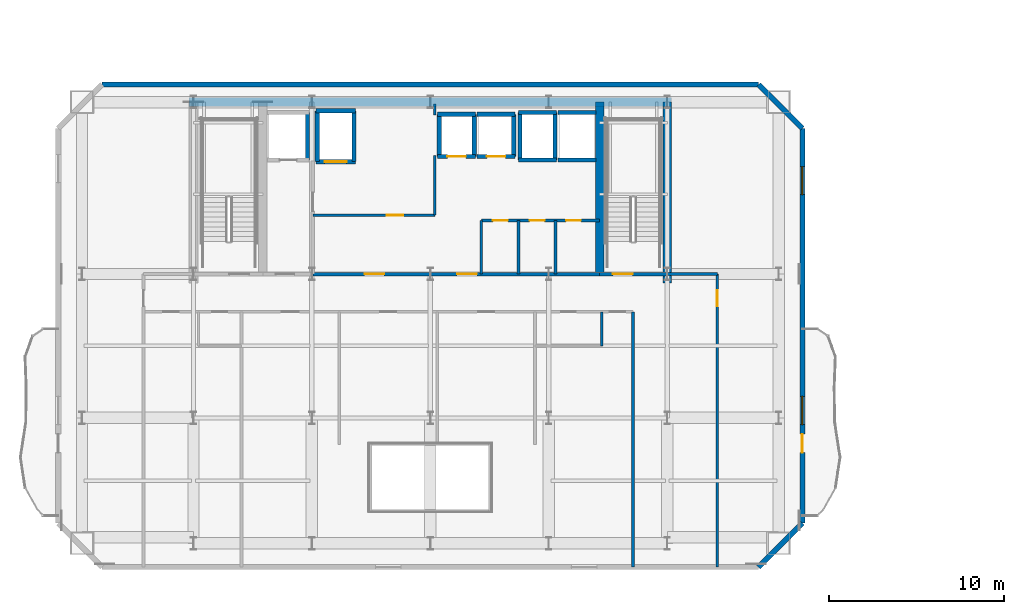
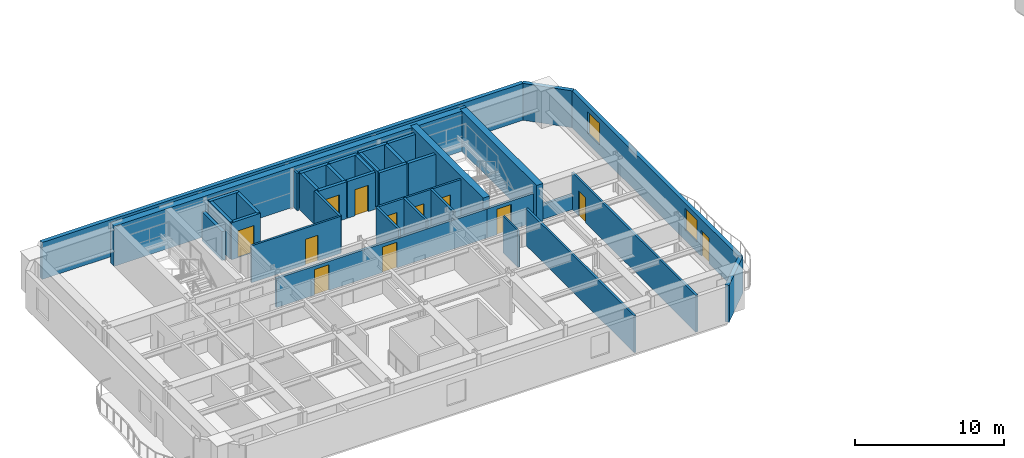
# One storey, part 8 of 15: 38 walls, 12 doors, 2 windows, 14 openings.
"""IFC4 building model written with IfcOpenShell, lengths in metres."""

from ifc_helpers import new_model, si_unit, direction, frame, frame_2d, origin, place, context, subcontext, project, spatial, rectangle, extrude, material, layer, layer_set, type_object, element, fill, save


model = new_model("IFC4")

# Units and contexts
model_context = context("Model", 3, precision=1e-05, world=origin(), true_north=direction((0.0, 1.0)))
body_context = subcontext(model_context, "Body", "Model", "MODEL_VIEW")
ifc_project = project(units=[si_unit("LENGTHUNIT", "METRE"), si_unit("AREAUNIT", "SQUARE_METRE"), si_unit("VOLUMEUNIT", "CUBIC_METRE"), si_unit("PLANEANGLEUNIT", "RADIAN"), si_unit("MASSUNIT", "GRAM", prefix="KILO")], contexts=[model_context])

# Site, building, storey
site_placement = place(None, origin())
site = spatial("IfcSite", under=ifc_project, at=site_placement, CompositionType="ELEMENT")
building_placement = place(site_placement, origin())
building = spatial("IfcBuilding", under=site, at=building_placement, Name="Haevon Station Towers", CompositionType="ELEMENT")
storey_placement = place(building_placement, frame((0.0, 0.0, 152.699951171875)))
storey = spatial("IfcBuildingStorey", under=building, at=storey_placement, Name="L41", CompositionType="ELEMENT", Elevation=152.699951171875)

# Wall
ifc_material_1 = material(Name="Gypsum board on steel stud", Category="steel")
ifc_layer_1 = layer(ifc_material_1, 0.179931640625)
ifc_layer_set_1 = layer_set([ifc_layer_1], Name="Gypsum board on steel stud")
wall_type_1 = type_object("IfcWallType", Name="WL-ACU180", PredefinedType="PARTITIONING", material=ifc_layer_set_1)
wall_1_placement = place(storey_placement, frame((51.0, 38.199951171875, 0.0), z_axis=(0.0, 0.0, 1.0), x_axis=(1.0, 0.0, 0.0)))
element("IfcWall", 1, at=wall_1_placement, inside=storey, type_object=wall_type_1, Name="WL-T1PT-L41-03", PredefinedType="PARTITIONING", context=body_context, shape_type="SweptSolid", body=[
    extrude(rectangle(XDim=2.85009765625, YDim=0.179931640625, at=frame_2d((1.425048828125, 0.0))), origin(), (0.0, 0.0, 1.0), 1.22998046875),
])

# Wall, opening, door
ifc_layer_2 = layer(ifc_material_1, 0.199951171875)
ifc_layer_set_2 = layer_set([ifc_layer_2], Name="Gypsum board on steel stud")
wall_type_2 = type_object("IfcWallType", Name="WL-COR200", PredefinedType="PARTITIONING", material=ifc_layer_set_2)
wall_2_placement = place(storey_placement, frame((47.14990234375, 38.199951171875, 0.0), z_axis=(0.0, 0.0, 1.0), x_axis=(1.0, 0.0, 0.0)))
wall_2 = element("IfcWall", 2, at=wall_2_placement, inside=storey, type_object=wall_type_2, Name="WL-ST-ST2-L41", PredefinedType="PARTITIONING", context=body_context, shape_type="SweptSolid", body=[
    extrude(rectangle(XDim=3.85009765625, YDim=0.199951171875, at=frame_2d((1.925048828125, 0.0))), origin(), (0.0, 0.0, 1.0), 2.380126953125),
])
opening_1_placement = place(wall_2_placement, frame((0.75, 0.0, 0.0)))
opening_1 = element("IfcOpeningElement", 3, at=opening_1_placement, cuts=wall_2, Name="Opening DR-ST-ST2-L41", PredefinedType="OPENING", context=body_context, shape_type="SweptSolid", body=[
    extrude(rectangle(XDim=1.1201171875, YDim=2.10009765625, at=frame_2d((0.56005859375, 1.050048828125))), frame((0.0, 0.10986328125, 0.0), z_axis=(0.0, -1.0, 0.0), x_axis=(1.0, 0.0, 0.0)), (0.0, 0.0, 1.0), 0.219970703125),
])
ifc_material_2 = material(Name="Engineered oak timber", Category="wood")
door_type_1 = type_object("IfcDoorType", Name="DR-ST-1120", OperationType="NOTDEFINED", PredefinedType="DOOR", material=ifc_material_2)
door_1_placement = place(opening_1_placement, origin())
door_1 = element("IfcDoor", 4, at=door_1_placement, inside=storey, type_object=door_type_1, Name="L41 Escape Stair ST2 Fire Door", OperationType="SINGLE_SWING_LEFT", OverallHeight=2.10009765625, OverallWidth=1.1201171875, PredefinedType="DOOR", context=body_context, shape_type="SweptSolid", body=[
    extrude(rectangle(XDim=1.1201171875, YDim=2.10009765625, at=frame_2d((0.56005859375, 1.050048828125))), frame((0.0, 0.02490234375, 0.0), z_axis=(0.0, -1.0, 0.0), x_axis=(1.0, 0.0, 0.0)), (0.0, 0.0, 1.0), 0.050048828125),
])
fill(opening_1, door_1)

# Wall, openings, doors
wall_3_placement = place(storey_placement, frame((30.800048828125, 38.199951171875, 0.0), z_axis=(0.0, 0.0, 1.0), x_axis=(1.0, 0.0, 0.0)))
wall_3 = element("IfcWall", 5, at=wall_3_placement, inside=storey, type_object=wall_type_2, Name="WL-T1CLB-L41", PredefinedType="PARTITIONING", context=body_context, shape_type="SweptSolid", body=[
    extrude(rectangle(XDim=16.349853515625, YDim=0.199951171875, at=frame_2d((8.1748046875, 0.0))), origin(), (0.0, 0.0, 1.0), 2.380126953125),
])
opening_2_placement = place(wall_3_placement, frame((2.949951171875, 0.0, 0.0)))
opening_2 = element("IfcOpeningElement", 6, at=opening_2_placement, cuts=wall_3, Name="Opening DR-T1CLB-L41-1", PredefinedType="OPENING", context=body_context, shape_type="SweptSolid", body=[
    extrude(rectangle(XDim=1.1201171875, YDim=2.10009765625, at=frame_2d((0.56005859375, 1.050048828125))), frame((0.0, 0.10986328125, 0.0), z_axis=(0.0, -1.0, 0.0), x_axis=(1.0, 0.0, 0.0)), (0.0, 0.0, 1.0), 0.219970703125),
])
opening_3_placement = place(wall_3_placement, frame((8.22998046875, 0.0, 0.0)))
opening_3 = element("IfcOpeningElement", 7, at=opening_3_placement, cuts=wall_3, Name="Opening DR-T1CLB-L41-2", PredefinedType="OPENING", context=body_context, shape_type="SweptSolid", body=[
    extrude(rectangle(XDim=1.1201171875, YDim=2.10009765625, at=frame_2d((0.56005859375, 1.050048828125))), frame((0.0, 0.10986328125, 0.0), z_axis=(0.0, -1.0, 0.0), x_axis=(1.0, 0.0, 0.0)), (0.0, 0.0, 1.0), 0.219970703125),
])
door_2_placement = place(opening_2_placement, origin())
door_2 = element("IfcDoor", 8, at=door_2_placement, inside=storey, type_object=door_type_1, Name="L41 Tower 1 Core Lift Lobby Door 1", OperationType="SINGLE_SWING_RIGHT", OverallHeight=2.10009765625, OverallWidth=1.1201171875, PredefinedType="DOOR", context=body_context, shape_type="SweptSolid", body=[
    extrude(rectangle(XDim=1.1201171875, YDim=2.10009765625, at=frame_2d((0.56005859375, 1.050048828125))), frame((0.0, 0.02490234375, 0.0), z_axis=(0.0, -1.0, 0.0), x_axis=(1.0, 0.0, 0.0)), (0.0, 0.0, 1.0), 0.050048828125),
])
fill(opening_2, door_2)
door_3_placement = place(opening_3_placement, origin())
door_3 = element("IfcDoor", 9, at=door_3_placement, inside=storey, type_object=door_type_1, Name="L41 Tower 1 Core Lift Lobby Door 2", OperationType="SINGLE_SWING_LEFT", OverallHeight=2.10009765625, OverallWidth=1.1201171875, PredefinedType="DOOR", context=body_context, shape_type="SweptSolid", body=[
    extrude(rectangle(XDim=1.1201171875, YDim=2.10009765625, at=frame_2d((0.56005859375, 1.050048828125))), frame((0.0, 0.02490234375, 0.0), z_axis=(0.0, -1.0, 0.0), x_axis=(1.0, 0.0, 0.0)), (0.0, 0.0, 1.0), 0.050048828125),
])
fill(opening_3, door_3)

# Walls
ifc_material_3 = material(Name="Concrete C60/75", Category="concrete")
ifc_layer_3 = layer(ifc_material_3, 0.5)
ifc_layer_set_3 = layer_set([ifc_layer_3], Name="Concrete C60/75")
wall_type_3 = type_object("IfcWallType", Name="WL-CR500", PredefinedType="SHEAR", material=ifc_layer_set_3)
wall_4_placement = place(storey_placement, frame((23.75, 48.0, 0.0), z_axis=(0.0, 0.0, 1.0), x_axis=(1.0, 0.0, 0.0)))
element("IfcWall", 10, at=wall_4_placement, inside=storey, type_object=wall_type_3, Name="WL-T1CR-L41-N", PredefinedType="SHEAR", context=body_context, shape_type="SweptSolid", body=[
    extrude(rectangle(XDim=27.5, YDim=0.5, at=frame_2d((13.75, 0.0))), origin(), (0.0, 0.0, 1.0), 3.300048828125),
])
wall_5_placement = place(storey_placement, frame((51.0, 37.679931640625, 0.0), z_axis=(0.0, 0.0, 1.0), x_axis=(0.0, 1.0, 0.0)))
element("IfcWall", 11, at=wall_5_placement, inside=storey, type_object=wall_type_3, Name="WL-T1CR-L41-E", PredefinedType="SHEAR", context=body_context, shape_type="SweptSolid", body=[
    extrude(rectangle(XDim=10.320068359375, YDim=0.5, at=frame_2d((5.16015625, 0.0))), origin(), (0.0, 0.0, 1.0), 3.300048828125),
])
wall_6_placement = place(storey_placement, frame((47.14990234375, 38.199951171875, 0.0), z_axis=(0.0, 0.0, 1.0), x_axis=(0.0, 1.0, 0.0)))
element("IfcWall", 12, at=wall_6_placement, inside=storey, type_object=wall_type_3, Name="WL-T1CR-L41-M2", PredefinedType="SHEAR", context=body_context, shape_type="SweptSolid", body=[
    extrude(rectangle(XDim=9.800048828125, YDim=0.5, at=frame_2d((4.89990234375, 0.0))), origin(), (0.0, 0.0, 1.0), 3.300048828125),
])
ifc_material_4 = material(Name="Precast concrete C45/55", Category="concrete")
ifc_layer_4 = layer(ifc_material_4, 0.300048828125)
ifc_layer_set_4 = layer_set([ifc_layer_4], Name="Precast concrete C45/55")
wall_type_4 = type_object("IfcWallType", Name="WL-EXT-PIER300", PredefinedType="SOLIDWALL", material=ifc_layer_set_4)
wall_7_placement = place(storey_placement, frame((18.800048828125, 49.0, 0.0), z_axis=(0.0, 0.0, 1.0), x_axis=(1.0, 0.0, 0.0)))
element("IfcWall", 13, at=wall_7_placement, inside=storey, type_object=wall_type_4, Name="WL-T1-L41-N", PredefinedType="SOLIDWALL", context=body_context, shape_type="SweptSolid", body=[
    extrude(rectangle(XDim=37.39990234375, YDim=0.300048828125, at=frame_2d((18.699951171875, 0.0))), origin(), (0.0, 0.0, 1.0), 3.030029296875),
])
wall_8_placement = place(storey_placement, frame((56.199951171875, 49.0, 0.0), z_axis=(0.0, 0.0, 1.0), x_axis=(0.707106781187, -0.707106781187, 0.0)))
element("IfcWall", 14, at=wall_8_placement, inside=storey, type_object=wall_type_4, Name="WL-T1-L41-NEC", PredefinedType="SOLIDWALL", context=body_context, shape_type="SweptSolid", body=[
    extrude(rectangle(XDim=3.53564453125, YDim=0.300048828125, at=frame_2d((1.767822265625, 0.0))), origin(), (0.0, 0.0, 1.0), 3.030029296875),
])

# Wall, openings, door, windows
wall_9_placement = place(storey_placement, frame((58.699951171875, 46.5, 0.0), z_axis=(0.0, 0.0, 1.0), x_axis=(0.0, -1.0, 0.0)))
wall_9 = element("IfcWall", 15, at=wall_9_placement, inside=storey, type_object=wall_type_4, Name="WL-T1-L41-E", PredefinedType="SOLIDWALL", context=body_context, shape_type="SweptSolid", body=[
    extrude(rectangle(XDim=22.5, YDim=0.300048828125, at=frame_2d((11.25, 0.0))), origin(), (0.0, 0.0, 1.0), 3.030029296875),
])
opening_4_placement = place(wall_9_placement, frame((17.425048828125, 0.0, 0.0)))
opening_4 = element("IfcOpeningElement", 16, at=opening_4_placement, cuts=wall_9, Name="Opening DR-T1-SCAL-L41-E", PredefinedType="OPENING", context=body_context, shape_type="SweptSolid", body=[
    extrude(rectangle(XDim=1.050048828125, YDim=2.10009765625, at=frame_2d((0.52490234375, 1.050048828125))), frame((0.0, 0.159912109375, 0.0), z_axis=(0.0, -1.0, 0.0), x_axis=(1.0, 0.0, 0.0)), (0.0, 0.0, 1.0), 0.320068359375),
])
opening_5_placement = place(wall_9_placement, frame((2.1787109375, 0.0, 0.800048828125)))
opening_5 = element("IfcOpeningElement", 17, at=opening_5_placement, cuts=wall_9, Name="Opening WN-END160", PredefinedType="OPENING", context=body_context, shape_type="SweptSolid", body=[
    extrude(rectangle(XDim=1.60009765625, YDim=1.800048828125, at=frame_2d((0.800048828125, 0.89990234375))), frame((0.0, 0.159912109375, 0.0), z_axis=(0.0, -1.0, 0.0), x_axis=(1.0, 0.0, 0.0)), (0.0, 0.0, 1.0), 0.320068359375),
])
opening_6_placement = place(wall_9_placement, frame((15.27490234375, 0.0, 0.800048828125)))
opening_6 = element("IfcOpeningElement", 18, at=opening_6_placement, cuts=wall_9, Name="Opening WN-END160", PredefinedType="OPENING", context=body_context, shape_type="SweptSolid", body=[
    extrude(rectangle(XDim=1.60009765625, YDim=1.800048828125, at=frame_2d((0.800048828125, 0.89990234375))), frame((0.0, 0.159912109375, 0.0), z_axis=(0.0, -1.0, 0.0), x_axis=(1.0, 0.0, 0.0)), (0.0, 0.0, 1.0), 0.320068359375),
])
ifc_material_5 = material(Name="Thermally broken anodised aluminium and laminated safety glass", Category="aluminium")
door_type_2 = type_object("IfcDoorType", Name="DR-BALC-1050", OperationType="NOTDEFINED", PredefinedType="DOOR", material=ifc_material_5)
door_4_placement = place(opening_4_placement, origin())
door_4 = element("IfcDoor", 19, at=door_4_placement, inside=storey, type_object=door_type_2, Name="Tower 1 L41 East Scalloped Balcony Door", OperationType="SINGLE_SWING_LEFT", OverallHeight=2.10009765625, OverallWidth=1.050048828125, PredefinedType="DOOR", context=body_context, shape_type="SweptSolid", body=[
    extrude(rectangle(XDim=1.050048828125, YDim=2.10009765625, at=frame_2d((0.52490234375, 1.050048828125))), frame((0.0, 0.02490234375, 0.0), z_axis=(0.0, -1.0, 0.0), x_axis=(1.0, 0.0, 0.0)), (0.0, 0.0, 1.0), 0.050048828125),
])
fill(opening_4, door_4)
ifc_material_6 = material(Name="Low-E triple glazing in thermally broken aluminium", Category="aluminium")
window_type = type_object("IfcWindowType", Name="WN-END160", PartitioningType="SINGLE_PANEL", PredefinedType="WINDOW", material=ifc_material_6)
window_1_placement = place(opening_5_placement, origin())
window_1 = element("IfcWindow", 20, at=window_1_placement, inside=storey, type_object=window_type, Name="WN-T1-L41-E01", OverallHeight=1.800048828125, OverallWidth=1.60009765625, PartitioningType="SINGLE_PANEL", PredefinedType="WINDOW", context=body_context, shape_type="SweptSolid", body=[
    extrude(rectangle(XDim=1.60009765625, YDim=1.800048828125, at=frame_2d((0.800048828125, 0.89990234375))), frame((0.0, 0.030029296875, 0.0), z_axis=(0.0, -1.0, 0.0), x_axis=(1.0, 0.0, 0.0)), (0.0, 0.0, 1.0), 0.06005859375),
])
fill(opening_5, window_1)
window_2_placement = place(opening_6_placement, origin())
window_2 = element("IfcWindow", 21, at=window_2_placement, inside=storey, type_object=window_type, Name="WN-T1-L41-E02", OverallHeight=1.800048828125, OverallWidth=1.60009765625, PartitioningType="SINGLE_PANEL", PredefinedType="WINDOW", context=body_context, shape_type="SweptSolid", body=[
    extrude(rectangle(XDim=1.60009765625, YDim=1.800048828125, at=frame_2d((0.800048828125, 0.89990234375))), frame((0.0, 0.030029296875, 0.0), z_axis=(0.0, -1.0, 0.0), x_axis=(1.0, 0.0, 0.0)), (0.0, 0.0, 1.0), 0.06005859375),
])
fill(opening_6, window_2)

# Walls
wall_10_placement = place(storey_placement, frame((58.699951171875, 24.0, 0.0), z_axis=(0.0, 0.0, 1.0), x_axis=(-0.707106781187, -0.707106781187, 0.0)))
element("IfcWall", 22, at=wall_10_placement, inside=storey, type_object=wall_type_4, Name="WL-T1-L41-SEC", PredefinedType="SOLIDWALL", context=body_context, shape_type="SweptSolid", body=[
    extrude(rectangle(XDim=3.53564453125, YDim=0.300048828125, at=frame_2d((1.767822265625, 0.0))), origin(), (0.0, 0.0, 1.0), 3.030029296875),
])
ifc_layer_5 = layer(ifc_material_1, 0.125)
ifc_layer_set_5 = layer_set([ifc_layer_5], Name="Gypsum board on steel stud")
wall_type_5 = type_object("IfcWallType", Name="WL-PRT125", PredefinedType="PARTITIONING", material=ifc_layer_set_5)
wall_11_placement = place(storey_placement, frame((47.27001953125, 34.10009765625, 0.0), z_axis=(0.0, 0.0, 1.0), x_axis=(0.0, 1.0, 0.0)))
element("IfcWall", 23, at=wall_11_placement, inside=storey, type_object=wall_type_5, Name="WL-T1PT-L41-19", PredefinedType="PARTITIONING", context=body_context, shape_type="SweptSolid", body=[
    extrude(rectangle(XDim=1.949951171875, YDim=0.125, at=frame_2d((0.97509765625, 0.0))), origin(), (0.0, 0.0, 1.0), 3.030029296875),
])

# Wall, opening, door
ifc_layer_6 = layer(ifc_material_1, 0.159912109375)
ifc_layer_set_6 = layer_set([ifc_layer_6], Name="Gypsum board on steel stud")
wall_type_6 = type_object("IfcWallType", Name="WL-PRT160", PredefinedType="PARTITIONING", material=ifc_layer_set_6)
wall_12_placement = place(storey_placement, frame((30.800048828125, 41.550048828125, 0.0), z_axis=(0.0, 0.0, 1.0), x_axis=(1.0, 0.0, 0.0)))
wall_12 = element("IfcWall", 24, at=wall_12_placement, inside=storey, type_object=wall_type_6, Name="WL-T1CW-L41-01", PredefinedType="PARTITIONING", context=body_context, shape_type="SweptSolid", body=[
    extrude(rectangle(XDim=6.949951171875, YDim=0.159912109375, at=frame_2d((3.47509765625, 0.0))), origin(), (0.0, 0.0, 1.0), 3.030029296875),
])
opening_7_placement = place(wall_12_placement, frame((4.199951171875, 0.0, 0.0)))
opening_7 = element("IfcOpeningElement", 25, at=opening_7_placement, cuts=wall_12, Name="Opening DR-WL-T1CW-L41-01-1", PredefinedType="OPENING", context=body_context, shape_type="SweptSolid", body=[
    extrude(rectangle(XDim=0.949951171875, YDim=2.10009765625, at=frame_2d((0.47509765625, 1.050048828125))), frame((0.0, 0.08984375, 0.0), z_axis=(0.0, -1.0, 0.0), x_axis=(1.0, 0.0, 0.0)), (0.0, 0.0, 1.0), 0.179931640625),
])
door_type_3 = type_object("IfcDoorType", Name="DR-FD60-950", OperationType="NOTDEFINED", PredefinedType="DOOR", material=ifc_material_2)
door_5_placement = place(opening_7_placement, origin())
door_5 = element("IfcDoor", 26, at=door_5_placement, inside=storey, type_object=door_type_3, Name="L41 Tower 1 Core Room Door 1-1", OperationType="SINGLE_SWING_RIGHT", OverallHeight=2.10009765625, OverallWidth=0.949951171875, PredefinedType="DOOR", context=body_context, shape_type="SweptSolid", body=[
    extrude(rectangle(XDim=0.949951171875, YDim=2.10009765625, at=frame_2d((0.47509765625, 1.050048828125))), frame((0.0, 0.02490234375, 0.0), z_axis=(0.0, -1.0, 0.0), x_axis=(1.0, 0.0, 0.0)), (0.0, 0.0, 1.0), 0.050048828125),
])
fill(opening_7, door_5)

# Walls
wall_13_placement = place(storey_placement, frame((37.75, 41.550048828125, 0.0), z_axis=(0.0, 0.0, 1.0), x_axis=(0.0, 1.0, 0.0)))
element("IfcWall", 27, at=wall_13_placement, inside=storey, type_object=wall_type_6, Name="WL-T1CW-L41-02", PredefinedType="PARTITIONING", context=body_context, shape_type="SweptSolid", body=[
    extrude(rectangle(XDim=3.39990234375, YDim=0.159912109375, at=frame_2d((1.699951171875, 0.0))), origin(), (0.0, 0.0, 1.0), 3.030029296875),
])
wall_14_placement = place(storey_placement, frame((37.75, 47.25, 0.0), z_axis=(0.0, 0.0, 1.0), x_axis=(0.0, 1.0, 0.0)))
element("IfcWall", 28, at=wall_14_placement, inside=storey, type_object=wall_type_6, Name="WL-T1CW-L41-03", PredefinedType="PARTITIONING", context=body_context, shape_type="SweptSolid", body=[
    extrude(rectangle(XDim=0.64990234375, YDim=0.159912109375, at=frame_2d((0.324951171875, 0.0))), origin(), (0.0, 0.0, 1.0), 3.030029296875),
])
for number, where, z_axis, x_axis, name in (
    (29, (40.39990234375, 38.199951171875, 0.0), (0.0, 0.0, 1.0), (0.0, 1.0, 0.0), "WL-T1CW-L41-04"),
    (30, (42.530029296875, 38.199951171875, 0.0), (0.0, 0.0, 1.0), (0.0, 1.0, 0.0), "WL-T1CW-L41-05"),
    (31, (44.6298828125, 38.199951171875, 0.0), (0.0, 0.0, 1.0), (0.0, 1.0, 0.0), "WL-T1CW-L41-06"),
):
    element("IfcWall", number, at=place(storey_placement, frame(where, z_axis=z_axis, x_axis=x_axis)), inside=storey, type_object=wall_type_6, Name=name, PredefinedType="PARTITIONING", context=body_context, shape_type="SweptSolid", body=[
        extrude(rectangle(XDim=3.050048828125, YDim=0.159912109375, at=frame_2d((1.52490234375, 0.0))), origin(), (0.0, 0.0, 1.0), 3.030029296875),
    ])

# Wall, openings, doors
wall_15_placement = place(storey_placement, frame((40.39990234375, 41.25, 0.0), z_axis=(0.0, 0.0, 1.0), x_axis=(1.0, 0.0, 0.0)))
wall_15 = element("IfcWall", 32, at=wall_15_placement, inside=storey, type_object=wall_type_6, Name="WL-T1CW-L41-07", PredefinedType="PARTITIONING", context=body_context, shape_type="SweptSolid", body=[
    extrude(rectangle(XDim=6.75, YDim=0.159912109375, at=frame_2d((3.375, 0.0))), origin(), (0.0, 0.0, 1.0), 3.030029296875),
])
opening_8_placement = place(wall_15_placement, frame((0.659912109375, 0.0, 0.0)))
opening_8 = element("IfcOpeningElement", 33, at=opening_8_placement, cuts=wall_15, Name="Opening DR-WL-T1CW-L41-07-1", PredefinedType="OPENING", context=body_context, shape_type="SweptSolid", body=[
    extrude(rectangle(XDim=0.85009765625, YDim=2.050048828125, at=frame_2d((0.425048828125, 1.02490234375))), frame((0.0, 0.08984375, 0.0), z_axis=(0.0, -1.0, 0.0), x_axis=(1.0, 0.0, 0.0)), (0.0, 0.0, 1.0), 0.179931640625),
])
opening_9_placement = place(wall_15_placement, frame((2.7548828125, 0.0, 0.0)))
opening_9 = element("IfcOpeningElement", 34, at=opening_9_placement, cuts=wall_15, Name="Opening DR-WL-T1CW-L41-07-2", PredefinedType="OPENING", context=body_context, shape_type="SweptSolid", body=[
    extrude(rectangle(XDim=0.85009765625, YDim=2.050048828125, at=frame_2d((0.425048828125, 1.02490234375))), frame((0.0, 0.08984375, 0.0), z_axis=(0.0, -1.0, 0.0), x_axis=(1.0, 0.0, 0.0)), (0.0, 0.0, 1.0), 0.179931640625),
])
opening_10_placement = place(wall_15_placement, frame((4.830078125, 0.0, 0.0)))
opening_10 = element("IfcOpeningElement", 35, at=opening_10_placement, cuts=wall_15, Name="Opening DR-WL-T1CW-L41-07-3", PredefinedType="OPENING", context=body_context, shape_type="SweptSolid", body=[
    extrude(rectangle(XDim=0.85009765625, YDim=2.050048828125, at=frame_2d((0.425048828125, 1.02490234375))), frame((0.0, 0.08984375, 0.0), z_axis=(0.0, -1.0, 0.0), x_axis=(1.0, 0.0, 0.0)), (0.0, 0.0, 1.0), 0.179931640625),
])
door_type_4 = type_object("IfcDoorType", Name="DR-FD30-850", OperationType="NOTDEFINED", PredefinedType="DOOR", material=ifc_material_2)
door_6_placement = place(opening_8_placement, origin())
door_6 = element("IfcDoor", 36, at=door_6_placement, inside=storey, type_object=door_type_4, Name="L41 Tower 1 Core Room Door 7-1", OperationType="SINGLE_SWING_LEFT", OverallHeight=2.050048828125, OverallWidth=0.85009765625, PredefinedType="DOOR", context=body_context, shape_type="SweptSolid", body=[
    extrude(rectangle(XDim=0.85009765625, YDim=2.050048828125, at=frame_2d((0.425048828125, 1.02490234375))), frame((0.0, 0.02490234375, 0.0), z_axis=(0.0, -1.0, 0.0), x_axis=(1.0, 0.0, 0.0)), (0.0, 0.0, 1.0), 0.050048828125),
])
fill(opening_8, door_6)
door_7_placement = place(opening_9_placement, origin())
door_7 = element("IfcDoor", 37, at=door_7_placement, inside=storey, type_object=door_type_4, Name="L41 Tower 1 Core Room Door 7-2", OperationType="SINGLE_SWING_RIGHT", OverallHeight=2.050048828125, OverallWidth=0.85009765625, PredefinedType="DOOR", context=body_context, shape_type="SweptSolid", body=[
    extrude(rectangle(XDim=0.85009765625, YDim=2.050048828125, at=frame_2d((0.425048828125, 1.02490234375))), frame((0.0, 0.02490234375, 0.0), z_axis=(0.0, -1.0, 0.0), x_axis=(1.0, 0.0, 0.0)), (0.0, 0.0, 1.0), 0.050048828125),
])
fill(opening_9, door_7)
door_8_placement = place(opening_10_placement, origin())
door_8 = element("IfcDoor", 38, at=door_8_placement, inside=storey, type_object=door_type_4, Name="L41 Tower 1 Core Room Door 7-3", OperationType="SINGLE_SWING_LEFT", OverallHeight=2.050048828125, OverallWidth=0.85009765625, PredefinedType="DOOR", context=body_context, shape_type="SweptSolid", body=[
    extrude(rectangle(XDim=0.85009765625, YDim=2.050048828125, at=frame_2d((0.425048828125, 1.02490234375))), frame((0.0, 0.02490234375, 0.0), z_axis=(0.0, -1.0, 0.0), x_axis=(1.0, 0.0, 0.0)), (0.0, 0.0, 1.0), 0.050048828125),
])
fill(opening_10, door_8)

# Wall
wall_16_placement = place(storey_placement, frame((49.050048828125, 21.5, 0.0), z_axis=(0.0, 0.0, 1.0), x_axis=(0.0, 1.0, 0.0)))
element("IfcWall", 39, at=wall_16_placement, inside=storey, type_object=wall_type_6, Name="WL-T1PT-L41-01", PredefinedType="PARTITIONING", context=body_context, shape_type="SweptSolid", body=[
    extrude(rectangle(XDim=14.550048828125, YDim=0.159912109375, at=frame_2d((7.27490234375, 0.0))), origin(), (0.0, 0.0, 1.0), 3.030029296875),
])

# Wall, opening, door
wall_17_placement = place(storey_placement, frame((53.85009765625, 21.5, 0.0), z_axis=(0.0, 0.0, 1.0), x_axis=(0.0, 1.0, 0.0)))
wall_17 = element("IfcWall", 40, at=wall_17_placement, inside=storey, type_object=wall_type_6, Name="WL-T1PT-L41-05", PredefinedType="PARTITIONING", context=body_context, shape_type="SweptSolid", body=[
    extrude(rectangle(XDim=16.699951171875, YDim=0.159912109375, at=frame_2d((8.35009765625, 0.0))), origin(), (0.0, 0.0, 1.0), 3.030029296875),
])
opening_11_placement = place(wall_17_placement, frame((14.8701171875, 0.0, 0.0)))
opening_11 = element("IfcOpeningElement", 41, at=opening_11_placement, cuts=wall_17, Name="Opening DR-WL-T1PT-L41-05-01", PredefinedType="OPENING", context=body_context, shape_type="SweptSolid", body=[
    extrude(rectangle(XDim=0.89990234375, YDim=2.050048828125, at=frame_2d((0.449951171875, 1.02490234375))), frame((0.0, 0.08984375, 0.0), z_axis=(0.0, -1.0, 0.0), x_axis=(1.0, 0.0, 0.0)), (0.0, 0.0, 1.0), 0.179931640625),
])
door_type_5 = type_object("IfcDoorType", Name="DR-INT-900", OperationType="NOTDEFINED", PredefinedType="DOOR", material=ifc_material_2)
door_9_placement = place(opening_11_placement, origin())
door_9 = element("IfcDoor", 42, at=door_9_placement, inside=storey, type_object=door_type_5, Name="L41 Tower 1 Room Door 5-1", OperationType="SINGLE_SWING_LEFT", OverallHeight=2.050048828125, OverallWidth=0.89990234375, PredefinedType="DOOR", context=body_context, shape_type="SweptSolid", body=[
    extrude(rectangle(XDim=0.89990234375, YDim=2.050048828125, at=frame_2d((0.449951171875, 1.02490234375))), frame((0.0, 0.02490234375, 0.0), z_axis=(0.0, -1.0, 0.0), x_axis=(1.0, 0.0, 0.0)), (0.0, 0.0, 1.0), 0.050048828125),
])
fill(opening_11, door_9)

# Wall
ifc_material_7 = material(Name="Concrete C40/50", Category="concrete")
ifc_layer_7 = layer(ifc_material_7, 0.239990234375)
ifc_layer_set_7 = layer_set([ifc_layer_7], Name="Concrete C40/50")
wall_type_7 = type_object("IfcWallType", Name="WL-SHF240", PredefinedType="PARTITIONING", material=ifc_layer_set_7)
wall_18_placement = place(storey_placement, frame((30.5, 44.699951171875, 0.0), z_axis=(0.0, 0.0, 1.0), x_axis=(0.0, 1.0, 0.0)))
element("IfcWall", 43, at=wall_18_placement, inside=storey, type_object=wall_type_7, Name="WL-SHF-FL1-L41-E", PredefinedType="PARTITIONING", context=body_context, shape_type="SweptSolid", body=[
    extrude(rectangle(XDim=2.699951171875, YDim=0.239990234375, at=frame_2d((1.35009765625, 0.0))), origin(), (0.0, 0.0, 1.0), 2.380126953125),
])

# Wall, opening, door
wall_19_placement = place(storey_placement, frame((30.969970703125, 44.60009765625, 0.0), z_axis=(0.0, 0.0, 1.0), x_axis=(1.0, 0.0, 0.0)))
wall_19 = element("IfcWall", 44, at=wall_19_placement, inside=storey, type_object=wall_type_7, Name="WL-SHF-SL1-L41", PredefinedType="PARTITIONING", context=body_context, shape_type="SweptSolid", body=[
    extrude(rectangle(XDim=2.260009765625, YDim=0.239990234375, at=frame_2d((1.1298828125, 0.0))), origin(), (0.0, 0.0, 1.0), 3.030029296875),
])
opening_12_placement = place(wall_19_placement, frame((0.5048828125, 0.0, 0.0)))
opening_12 = element("IfcOpeningElement", 45, at=opening_12_placement, cuts=wall_19, Name="Opening LD-SL1-L41", PredefinedType="OPENING", context=body_context, shape_type="SweptSolid", body=[
    extrude(rectangle(XDim=1.25, YDim=2.199951171875, at=frame_2d((0.625, 1.10009765625))), frame((0.0, 0.1298828125, 0.0), z_axis=(0.0, -1.0, 0.0), x_axis=(1.0, 0.0, 0.0)), (0.0, 0.0, 1.0), 0.260009765625),
])
ifc_material_8 = material(Name="Stainless steel and rated core", Category="steel")
door_type_6 = type_object("IfcDoorType", Name="LD-SL1250", OperationType="SLIDING_TO_LEFT", PredefinedType="DOOR", material=ifc_material_8)
door_10_placement = place(opening_12_placement, origin())
door_10 = element("IfcDoor", 46, at=door_10_placement, inside=storey, type_object=door_type_6, Name="L41 Lift SL1 Sliding Landing Door", OperationType="SLIDING_TO_LEFT", OverallHeight=2.199951171875, OverallWidth=1.25, PredefinedType="DOOR", context=body_context, shape_type="SweptSolid", body=[
    extrude(rectangle(XDim=1.25, YDim=2.199951171875, at=frame_2d((0.625, 1.10009765625))), frame((0.0, 0.02490234375, 0.0), z_axis=(0.0, -1.0, 0.0), x_axis=(1.0, 0.0, 0.0)), (0.0, 0.0, 1.0), 0.050048828125),
])
fill(opening_12, door_10)

# Walls
wall_20_placement = place(storey_placement, frame((30.969970703125, 47.5, 0.0), z_axis=(0.0, 0.0, 1.0), x_axis=(1.0, 0.0, 0.0)))
element("IfcWall", 47, at=wall_20_placement, inside=storey, type_object=wall_type_7, Name="WL-SHF-SL1-L41-N", PredefinedType="PARTITIONING", context=body_context, shape_type="SweptSolid", body=[
    extrude(rectangle(XDim=2.260009765625, YDim=0.239990234375, at=frame_2d((1.1298828125, 0.0))), origin(), (0.0, 0.0, 1.0), 3.030029296875),
])
for number, where, z_axis, x_axis, name in (
    (48, (31.050048828125, 44.60009765625, 0.0), (0.0, 0.0, 1.0), (0.0, 1.0, 0.0), "WL-SHF-SL1-L41-W"),
    (49, (33.14990234375, 44.60009765625, 0.0), (0.0, 0.0, 1.0), (0.0, 1.0, 0.0), "WL-SHF-SL1-L41-E"),
):
    element("IfcWall", number, at=place(storey_placement, frame(where, z_axis=z_axis, x_axis=x_axis)), inside=storey, type_object=wall_type_7, Name=name, PredefinedType="PARTITIONING", context=body_context, shape_type="SweptSolid", body=[
        extrude(rectangle(XDim=2.89990234375, YDim=0.239990234375, at=frame_2d((1.449951171875, 0.0))), origin(), (0.0, 0.0, 1.0), 3.030029296875),
    ])

# Wall, opening, door
wall_21_placement = place(storey_placement, frame((37.919921875, 44.89990234375, 0.0), z_axis=(0.0, 0.0, 1.0), x_axis=(1.0, 0.0, 0.0)))
wall_21 = element("IfcWall", 50, at=wall_21_placement, inside=storey, type_object=wall_type_7, Name="WL-SHF-PL3-L41", PredefinedType="PARTITIONING", context=body_context, shape_type="SweptSolid", body=[
    extrude(rectangle(XDim=2.16015625, YDim=0.239990234375, at=frame_2d((1.080078125, 0.0))), origin(), (0.0, 0.0, 1.0), 3.030029296875),
])
opening_13_placement = place(wall_21_placement, frame((0.554931640625, 0.0, 0.0)))
opening_13 = element("IfcOpeningElement", 51, at=opening_13_placement, cuts=wall_21, Name="Opening LD-PL3-L41", PredefinedType="OPENING", context=body_context, shape_type="SweptSolid", body=[
    extrude(rectangle(XDim=1.050048828125, YDim=2.14990234375, at=frame_2d((0.52490234375, 1.074951171875))), frame((0.0, 0.1298828125, 0.0), z_axis=(0.0, -1.0, 0.0), x_axis=(1.0, 0.0, 0.0)), (0.0, 0.0, 1.0), 0.260009765625),
])
door_type_7 = type_object("IfcDoorType", Name="LD-PL1050", OperationType="SLIDING_TO_LEFT", PredefinedType="DOOR", material=ifc_material_8)
door_11_placement = place(opening_13_placement, origin())
door_11 = element("IfcDoor", 52, at=door_11_placement, inside=storey, type_object=door_type_7, Name="L41 Lift PL3 Sliding Landing Door", OperationType="SLIDING_TO_LEFT", OverallHeight=2.14990234375, OverallWidth=1.050048828125, PredefinedType="DOOR", context=body_context, shape_type="SweptSolid", body=[
    extrude(rectangle(XDim=1.050048828125, YDim=2.14990234375, at=frame_2d((0.52490234375, 1.074951171875))), frame((0.0, 0.02490234375, 0.0), z_axis=(0.0, -1.0, 0.0), x_axis=(1.0, 0.0, 0.0)), (0.0, 0.0, 1.0), 0.050048828125),
])
fill(opening_13, door_11)

# Walls
wall_22_placement = place(storey_placement, frame((37.919921875, 47.300048828125, 0.0), z_axis=(0.0, 0.0, 1.0), x_axis=(1.0, 0.0, 0.0)))
element("IfcWall", 53, at=wall_22_placement, inside=storey, type_object=wall_type_7, Name="WL-SHF-PL3-L41-N", PredefinedType="PARTITIONING", context=body_context, shape_type="SweptSolid", body=[
    extrude(rectangle(XDim=2.16015625, YDim=0.239990234375, at=frame_2d((1.080078125, 0.0))), origin(), (0.0, 0.0, 1.0), 3.030029296875),
])
for number, where, z_axis, x_axis, name in (
    (54, (38.0, 44.89990234375, 0.0), (0.0, 0.0, 1.0), (0.0, 1.0, 0.0), "WL-SHF-PL3-L41-W"),
    (55, (40.0, 44.89990234375, 0.0), (0.0, 0.0, 1.0), (0.0, 1.0, 0.0), "WL-SHF-PL3-L41-E"),
):
    element("IfcWall", number, at=place(storey_placement, frame(where, z_axis=z_axis, x_axis=x_axis)), inside=storey, type_object=wall_type_7, Name=name, PredefinedType="PARTITIONING", context=body_context, shape_type="SweptSolid", body=[
        extrude(rectangle(XDim=2.400146484375, YDim=0.239990234375, at=frame_2d((1.2001953125, 0.0))), origin(), (0.0, 0.0, 1.0), 3.030029296875),
    ])

# Wall, opening, door
wall_23_placement = place(storey_placement, frame((40.169921875, 44.89990234375, 0.0), z_axis=(0.0, 0.0, 1.0), x_axis=(1.0, 0.0, 0.0)))
wall_23 = element("IfcWall", 56, at=wall_23_placement, inside=storey, type_object=wall_type_7, Name="WL-SHF-PL4-L41", PredefinedType="PARTITIONING", context=body_context, shape_type="SweptSolid", body=[
    extrude(rectangle(XDim=2.16015625, YDim=0.239990234375, at=frame_2d((1.080078125, 0.0))), origin(), (0.0, 0.0, 1.0), 3.030029296875),
])
opening_14_placement = place(wall_23_placement, frame((0.554931640625, 0.0, 0.0)))
opening_14 = element("IfcOpeningElement", 57, at=opening_14_placement, cuts=wall_23, Name="Opening LD-PL4-L41", PredefinedType="OPENING", context=body_context, shape_type="SweptSolid", body=[
    extrude(rectangle(XDim=1.050048828125, YDim=2.14990234375, at=frame_2d((0.52490234375, 1.074951171875))), frame((0.0, 0.1298828125, 0.0), z_axis=(0.0, -1.0, 0.0), x_axis=(1.0, 0.0, 0.0)), (0.0, 0.0, 1.0), 0.260009765625),
])
door_12_placement = place(opening_14_placement, origin())
door_12 = element("IfcDoor", 58, at=door_12_placement, inside=storey, type_object=door_type_7, Name="L41 Lift PL4 Sliding Landing Door", OperationType="SLIDING_TO_LEFT", OverallHeight=2.14990234375, OverallWidth=1.050048828125, PredefinedType="DOOR", context=body_context, shape_type="SweptSolid", body=[
    extrude(rectangle(XDim=1.050048828125, YDim=2.14990234375, at=frame_2d((0.52490234375, 1.074951171875))), frame((0.0, 0.02490234375, 0.0), z_axis=(0.0, -1.0, 0.0), x_axis=(1.0, 0.0, 0.0)), (0.0, 0.0, 1.0), 0.050048828125),
])
fill(opening_14, door_12)

# Walls
wall_24_placement = place(storey_placement, frame((40.169921875, 47.300048828125, 0.0), z_axis=(0.0, 0.0, 1.0), x_axis=(1.0, 0.0, 0.0)))
element("IfcWall", 59, at=wall_24_placement, inside=storey, type_object=wall_type_7, Name="WL-SHF-PL4-L41-N", PredefinedType="PARTITIONING", context=body_context, shape_type="SweptSolid", body=[
    extrude(rectangle(XDim=2.16015625, YDim=0.239990234375, at=frame_2d((1.080078125, 0.0))), origin(), (0.0, 0.0, 1.0), 3.030029296875),
])
wall_25_placement = place(storey_placement, frame((42.25, 44.89990234375, 0.0), z_axis=(0.0, 0.0, 1.0), x_axis=(0.0, 1.0, 0.0)))
element("IfcWall", 60, at=wall_25_placement, inside=storey, type_object=wall_type_7, Name="WL-SHF-PL4-L41-E", PredefinedType="PARTITIONING", context=body_context, shape_type="SweptSolid", body=[
    extrude(rectangle(XDim=2.400146484375, YDim=0.239990234375, at=frame_2d((1.2001953125, 0.0))), origin(), (0.0, 0.0, 1.0), 3.030029296875),
])
for number, where, z_axis, x_axis, name in (
    (61, (42.52001953125, 44.699951171875, 0.0), (0.0, 0.0, 1.0), (1.0, 0.0, 0.0), "WL-SHF-PL5-L41"),
    (62, (42.52001953125, 47.39990234375, 0.0), (0.0, 0.0, 1.0), (1.0, 0.0, 0.0), "WL-SHF-PL5-L41-N"),
):
    element("IfcWall", number, at=place(storey_placement, frame(where, z_axis=z_axis, x_axis=x_axis)), inside=storey, type_object=wall_type_7, Name=name, PredefinedType="PARTITIONING", context=body_context, shape_type="SweptSolid", body=[
        extrude(rectangle(XDim=2.159912109375, YDim=0.239990234375, at=frame_2d((1.080078125, 0.0))), origin(), (0.0, 0.0, 1.0), 3.030029296875),
    ])
for number, where, z_axis, x_axis, name in (
    (63, (42.60009765625, 44.699951171875, 0.0), (0.0, 0.0, 1.0), (0.0, 1.0, 0.0), "WL-SHF-PL5-L41-W"),
    (64, (44.60009765625, 44.699951171875, 0.0), (0.0, 0.0, 1.0), (0.0, 1.0, 0.0), "WL-SHF-PL5-L41-E"),
):
    element("IfcWall", number, at=place(storey_placement, frame(where, z_axis=z_axis, x_axis=x_axis)), inside=storey, type_object=wall_type_7, Name=name, PredefinedType="PARTITIONING", context=body_context, shape_type="SweptSolid", body=[
        extrude(rectangle(XDim=2.699951171875, YDim=0.239990234375, at=frame_2d((1.35009765625, 0.0))), origin(), (0.0, 0.0, 1.0), 3.030029296875),
    ])
for number, where, z_axis, x_axis, name in (
    (65, (44.77001953125, 44.699951171875, 0.0), (0.0, 0.0, 1.0), (1.0, 0.0, 0.0), "WL-SHF-PL6-L41"),
    (66, (44.77001953125, 47.39990234375, 0.0), (0.0, 0.0, 1.0), (1.0, 0.0, 0.0), "WL-SHF-PL6-L41-N"),
):
    element("IfcWall", number, at=place(storey_placement, frame(where, z_axis=z_axis, x_axis=x_axis)), inside=storey, type_object=wall_type_7, Name=name, PredefinedType="PARTITIONING", context=body_context, shape_type="SweptSolid", body=[
        extrude(rectangle(XDim=2.159912109375, YDim=0.239990234375, at=frame_2d((1.080078125, 0.0))), origin(), (0.0, 0.0, 1.0), 3.030029296875),
    ])

save(model, "model.ifc")
